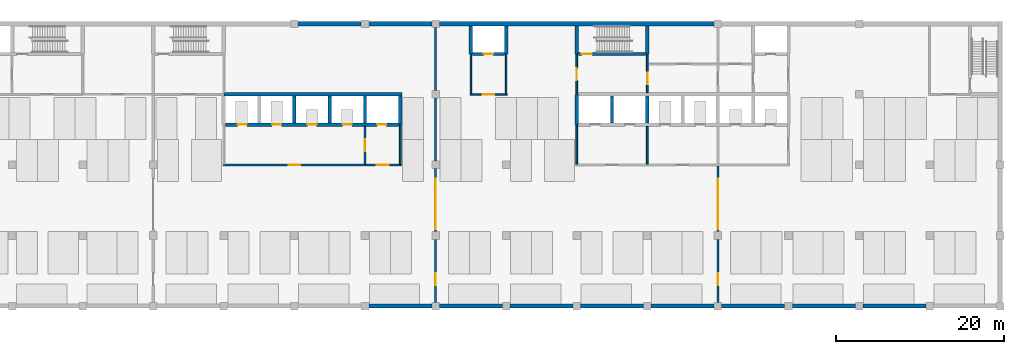
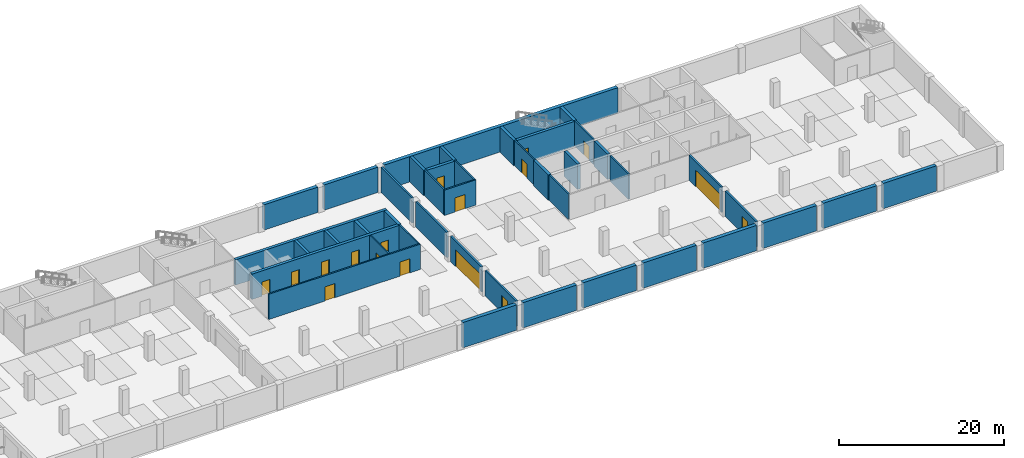
# One storey, part 4 of 14: 42 walls, 17 doors, 17 openings.
"""IFC4 building model written with IfcOpenShell, lengths in metres."""

from ifc_helpers import new_model, si_unit, direction, frame, frame_2d, origin, place, context, subcontext, project, spatial, rectangle, extrude, material, layer, layer_set, type_object, element, fill, save


model = new_model("IFC4")

# Units and contexts
model_context = context("Model", 3, precision=1e-05, world=origin(), true_north=direction((0.0, 1.0)))
body_context = subcontext(model_context, "Body", "Model", "MODEL_VIEW")
ifc_project = project(units=[si_unit("LENGTHUNIT", "METRE"), si_unit("AREAUNIT", "SQUARE_METRE"), si_unit("VOLUMEUNIT", "CUBIC_METRE"), si_unit("PLANEANGLEUNIT", "RADIAN"), si_unit("MASSUNIT", "GRAM", prefix="KILO")], contexts=[model_context])

# Site, building, storey
site_placement = place(None, origin())
site = spatial("IfcSite", under=ifc_project, at=site_placement, CompositionType="ELEMENT")
building_placement = place(site_placement, origin())
building = spatial("IfcBuilding", under=site, at=building_placement, Name="Yavir Park General Hospital", CompositionType="ELEMENT")
storey_placement = place(building_placement, frame((0.0, 0.0, -4.199951171875)))
storey = spatial("IfcBuildingStorey", under=building, at=storey_placement, Name="B1", CompositionType="ELEMENT", Elevation=-4.199951171875)

# Wall, opening, door
ifc_material_1 = material(Name="Concrete C30/37", Category="concrete")
ifc_layer_1 = layer(ifc_material_1, 0.25)
ifc_layer_set_1 = layer_set([ifc_layer_1], Name="Concrete C30/37")
wall_type_1 = type_object("IfcWallType", Name="Compartment fire wall 250, REI 150", PredefinedType="SOLIDWALL", material=ifc_layer_set_1)
wall_1_placement = place(storey_placement, frame((100.800048828125, 0.449951171875, 0.0), z_axis=(0.0, 0.0, 1.0), x_axis=(0.0, 1.0, 0.0)))
wall_1 = element("IfcWall", 1, at=wall_1_placement, inside=storey, type_object=wall_type_1, Name="FW25 B1-073", PredefinedType="SOLIDWALL", context=body_context, shape_type="SweptSolid", body=[
    extrude(rectangle(XDim=7.5, YDim=0.25, at=frame_2d((3.75, 0.0))), origin(), (0.0, 0.0, 1.0), 3.75),
])
opening_1_placement = place(wall_1_placement, frame((2.050048828125, 0.0, 0.0)))
opening_1 = element("IfcOpeningElement", 2, at=opening_1_placement, cuts=wall_1, Name="Opening B1.D053", PredefinedType="OPENING", context=body_context, shape_type="SweptSolid", body=[
    extrude(rectangle(XDim=1.39990234375, YDim=2.5, at=frame_2d((0.699951171875, 1.25))), frame((0.0, 0.135009765625, 0.0), z_axis=(0.0, -1.0, 0.0), x_axis=(1.0, 0.0, 0.0)), (0.0, 0.0, 1.0), 0.27001953125),
])
ifc_material_2 = material(Name="Steel frame, fire-resisting timber leaves", Category="steel")
door_type_1 = type_object("IfcDoorType", Name="Double fire door 1400 x 2500, EI 60", OperationType="DOUBLE_DOOR_SINGLE_SWING", PredefinedType="DOOR", material=ifc_material_2)
door_1_placement = place(opening_1_placement, origin())
door_1 = element("IfcDoor", 3, at=door_1_placement, inside=storey, type_object=door_type_1, Name="B1.D053", OperationType="SINGLE_SWING_RIGHT", OverallHeight=2.5, OverallWidth=1.39990234375, PredefinedType="DOOR", context=body_context, shape_type="SweptSolid", body=[
    extrude(rectangle(XDim=1.39990234375, YDim=2.5, at=frame_2d((0.699951171875, 1.25))), frame((0.0, 0.02490234375, 0.0), z_axis=(0.0, -1.0, 0.0), x_axis=(1.0, 0.0, 0.0)), (0.0, 0.0, 1.0), 0.050048828125),
])
fill(opening_1, door_1)

wall_2_placement = place(storey_placement, frame((100.800048828125, 8.85009765625, 0.0), z_axis=(0.0, 0.0, 1.0), x_axis=(0.0, 1.0, 0.0)))
wall_2 = element("IfcWall", 4, at=wall_2_placement, inside=storey, type_object=wall_type_1, Name="FW25 B1-074", PredefinedType="SOLIDWALL", context=body_context, shape_type="SweptSolid", body=[
    extrude(rectangle(XDim=7.5, YDim=0.25, at=frame_2d((3.75, 0.0))), origin(), (0.0, 0.0, 1.0), 3.75),
])
opening_2_placement = place(wall_2_placement, frame((0.300048828125, 0.0, 0.0)))
opening_2 = element("IfcOpeningElement", 5, at=opening_2_placement, cuts=wall_2, Name="Opening B1.D054", PredefinedType="OPENING", context=body_context, shape_type="SweptSolid", body=[
    extrude(rectangle(XDim=6.0, YDim=2.5, at=frame_2d((3.0, 1.25))), frame((0.0, 0.135009765625, 0.0), z_axis=(0.0, -1.0, 0.0), x_axis=(1.0, 0.0, 0.0)), (0.0, 0.0, 1.0), 0.27001953125),
])
ifc_material_3 = material(Name="Steel slat fire shutter", Category="steel")
door_type_2 = type_object("IfcDoorType", Name="Fire shutter, vehicle opening 6000 x 2500, EI 60", OperationType="ROLLINGUP", PredefinedType="GATE", material=ifc_material_3)
door_2_placement = place(opening_2_placement, origin())
door_2 = element("IfcDoor", 6, at=door_2_placement, inside=storey, type_object=door_type_2, Name="B1.D054", OperationType="ROLLINGUP", OverallHeight=2.5, OverallWidth=6.0, PredefinedType="GATE", context=body_context, shape_type="SweptSolid", body=[
    extrude(rectangle(XDim=6.0, YDim=2.5, at=frame_2d((3.0, 1.25))), frame((0.0, 0.02490234375, 0.0), z_axis=(0.0, -1.0, 0.0), x_axis=(1.0, 0.0, 0.0)), (0.0, 0.0, 1.0), 0.050048828125),
])
fill(opening_2, door_2)

# Walls
for number, where, z_axis, x_axis, name in (
    (7, (100.800048828125, 17.25, 0.0), (0.0, 0.0, 1.0), (0.0, 1.0, 0.0), "FW25 B1-075"),
    (8, (100.800048828125, 25.64990234375, 0.0), (0.0, 0.0, 1.0), (0.0, 1.0, 0.0), "FW25 B1-076"),
):
    element("IfcWall", number, at=place(storey_placement, frame(where, z_axis=z_axis, x_axis=x_axis)), inside=storey, type_object=wall_type_1, Name=name, PredefinedType="SOLIDWALL", context=body_context, shape_type="SweptSolid", body=[
        extrude(rectangle(XDim=7.5, YDim=0.25, at=frame_2d((3.75, 0.0))), origin(), (0.0, 0.0, 1.0), 3.75),
    ])

# Wall, opening, door
wall_3_placement = place(storey_placement, frame((134.39990234375, 0.449951171875, 0.0), z_axis=(0.0, 0.0, 1.0), x_axis=(0.0, 1.0, 0.0)))
wall_3 = element("IfcWall", 9, at=wall_3_placement, inside=storey, type_object=wall_type_1, Name="FW25 B1-091", PredefinedType="SOLIDWALL", context=body_context, shape_type="SweptSolid", body=[
    extrude(rectangle(XDim=7.5, YDim=0.25, at=frame_2d((3.75, 0.0))), origin(), (0.0, 0.0, 1.0), 3.75),
])
opening_3_placement = place(wall_3_placement, frame((2.050048828125, 0.0, 0.0)))
opening_3 = element("IfcOpeningElement", 10, at=opening_3_placement, cuts=wall_3, Name="Opening B1.D057", PredefinedType="OPENING", context=body_context, shape_type="SweptSolid", body=[
    extrude(rectangle(XDim=1.39990234375, YDim=2.5, at=frame_2d((0.699951171875, 1.25))), frame((0.0, 0.135009765625, 0.0), z_axis=(0.0, -1.0, 0.0), x_axis=(1.0, 0.0, 0.0)), (0.0, 0.0, 1.0), 0.27001953125),
])
door_3_placement = place(opening_3_placement, origin())
door_3 = element("IfcDoor", 11, at=door_3_placement, inside=storey, type_object=door_type_1, Name="B1.D057", OperationType="SINGLE_SWING_RIGHT", OverallHeight=2.5, OverallWidth=1.39990234375, PredefinedType="DOOR", context=body_context, shape_type="SweptSolid", body=[
    extrude(rectangle(XDim=1.39990234375, YDim=2.5, at=frame_2d((0.699951171875, 1.25))), frame((0.0, 0.02490234375, 0.0), z_axis=(0.0, -1.0, 0.0), x_axis=(1.0, 0.0, 0.0)), (0.0, 0.0, 1.0), 0.050048828125),
])
fill(opening_3, door_3)

wall_4_placement = place(storey_placement, frame((134.39990234375, 8.85009765625, 0.0), z_axis=(0.0, 0.0, 1.0), x_axis=(0.0, 1.0, 0.0)))
wall_4 = element("IfcWall", 12, at=wall_4_placement, inside=storey, type_object=wall_type_1, Name="FW25 B1-092", PredefinedType="SOLIDWALL", context=body_context, shape_type="SweptSolid", body=[
    extrude(rectangle(XDim=7.849853515625, YDim=0.25, at=frame_2d((3.9248046875, 0.0))), origin(), (0.0, 0.0, 1.0), 3.75),
])
opening_4_placement = place(wall_4_placement, frame((0.300048828125, 0.0, 0.0)))
opening_4 = element("IfcOpeningElement", 13, at=opening_4_placement, cuts=wall_4, Name="Opening B1.D058", PredefinedType="OPENING", context=body_context, shape_type="SweptSolid", body=[
    extrude(rectangle(XDim=6.0, YDim=2.5, at=frame_2d((3.0, 1.25))), frame((0.0, 0.135009765625, 0.0), z_axis=(0.0, -1.0, 0.0), x_axis=(1.0, 0.0, 0.0)), (0.0, 0.0, 1.0), 0.27001953125),
])
door_4_placement = place(opening_4_placement, origin())
door_4 = element("IfcDoor", 14, at=door_4_placement, inside=storey, type_object=door_type_2, Name="B1.D058", OperationType="ROLLINGUP", OverallHeight=2.5, OverallWidth=6.0, PredefinedType="GATE", context=body_context, shape_type="SweptSolid", body=[
    extrude(rectangle(XDim=6.0, YDim=2.5, at=frame_2d((3.0, 1.25))), frame((0.0, 0.02490234375, 0.0), z_axis=(0.0, -1.0, 0.0), x_axis=(1.0, 0.0, 0.0)), (0.0, 0.0, 1.0), 0.050048828125),
])
fill(opening_4, door_4)

# Wall, openings, doors
ifc_material_4 = material(Name="Double gypsum board fire partition on steel studs", Category="steel")
ifc_layer_2 = layer(ifc_material_4, 0.199951171875)
ifc_layer_set_2 = layer_set([ifc_layer_2], Name="Double gypsum board fire partition on steel studs")
wall_type_2 = type_object("IfcWallType", Name="Fire-rated partition 200, EI 60", PredefinedType="PARTITIONING", material=ifc_layer_set_2)
wall_5_placement = place(storey_placement, frame((75.5, 16.800048828125, 0.0), z_axis=(0.0, 0.0, 1.0), x_axis=(1.0, 0.0, 0.0)))
wall_5 = element("IfcWall", 15, at=wall_5_placement, inside=storey, type_object=wall_type_2, Name="FP20 B1-005", PredefinedType="PARTITIONING", context=body_context, shape_type="SweptSolid", body=[
    extrude(rectangle(XDim=21.199951171875, YDim=0.199951171875, at=frame_2d((10.60009765625, 0.0))), origin(), (0.0, 0.0, 1.0), 3.75),
])
opening_5_placement = place(wall_5_placement, frame((7.800048828125, 0.0, 0.0)))
opening_5 = element("IfcOpeningElement", 16, at=opening_5_placement, cuts=wall_5, Name="Opening B1.D004", PredefinedType="OPENING", context=body_context, shape_type="SweptSolid", body=[
    extrude(rectangle(XDim=1.39990234375, YDim=2.10009765625, at=frame_2d((0.699951171875, 1.050048828125))), frame((0.0, 0.10986328125, 0.0), z_axis=(0.0, -1.0, 0.0), x_axis=(1.0, 0.0, 0.0)), (0.0, 0.0, 1.0), 0.219970703125),
])
opening_6_placement = place(wall_5_placement, frame((18.300048828125, 0.0, 0.0)))
opening_6 = element("IfcOpeningElement", 17, at=opening_6_placement, cuts=wall_5, Name="Opening B1.D005", PredefinedType="OPENING", context=body_context, shape_type="SweptSolid", body=[
    extrude(rectangle(XDim=1.39990234375, YDim=2.10009765625, at=frame_2d((0.699951171875, 1.050048828125))), frame((0.0, 0.10986328125, 0.0), z_axis=(0.0, -1.0, 0.0), x_axis=(1.0, 0.0, 0.0)), (0.0, 0.0, 1.0), 0.219970703125),
])
ifc_material_5 = material(Name="Steel frame, fire-resisting timber leaves", Category="steel")
door_type_3 = type_object("IfcDoorType", Name="Double fire door 1400 x 2100, EI 60", OperationType="DOUBLE_DOOR_SINGLE_SWING", PredefinedType="DOOR", material=ifc_material_5)
door_5_placement = place(opening_5_placement, origin())
door_5 = element("IfcDoor", 18, at=door_5_placement, inside=storey, type_object=door_type_3, Name="B1.D004", OperationType="SINGLE_SWING_LEFT", OverallHeight=2.10009765625, OverallWidth=1.39990234375, PredefinedType="DOOR", context=body_context, shape_type="SweptSolid", body=[
    extrude(rectangle(XDim=1.39990234375, YDim=2.10009765625, at=frame_2d((0.699951171875, 1.050048828125))), frame((0.0, 0.02490234375, 0.0), z_axis=(0.0, -1.0, 0.0), x_axis=(1.0, 0.0, 0.0)), (0.0, 0.0, 1.0), 0.050048828125),
])
fill(opening_5, door_5)
door_6_placement = place(opening_6_placement, origin())
door_6 = element("IfcDoor", 19, at=door_6_placement, inside=storey, type_object=door_type_3, Name="B1.D005", OperationType="SINGLE_SWING_RIGHT", OverallHeight=2.10009765625, OverallWidth=1.39990234375, PredefinedType="DOOR", context=body_context, shape_type="SweptSolid", body=[
    extrude(rectangle(XDim=1.39990234375, YDim=2.10009765625, at=frame_2d((0.699951171875, 1.050048828125))), frame((0.0, 0.02490234375, 0.0), z_axis=(0.0, -1.0, 0.0), x_axis=(1.0, 0.0, 0.0)), (0.0, 0.0, 1.0), 0.050048828125),
])
fill(opening_6, door_6)

# Wall, opening, door
wall_6_placement = place(storey_placement, frame((104.89990234375, 25.199951171875, 0.0), z_axis=(0.0, 0.0, 1.0), x_axis=(1.0, 0.0, 0.0)))
wall_6 = element("IfcWall", 20, at=wall_6_placement, inside=storey, type_object=wall_type_2, Name="FP20 B1-020", PredefinedType="PARTITIONING", context=body_context, shape_type="SweptSolid", body=[
    extrude(rectangle(XDim=4.400146484375, YDim=0.199951171875, at=frame_2d((2.2001953125, 0.0))), origin(), (0.0, 0.0, 1.0), 3.75),
])
opening_7_placement = place(wall_6_placement, frame((1.5, 0.0, 0.0)))
opening_7 = element("IfcOpeningElement", 21, at=opening_7_placement, cuts=wall_6, Name="Opening B1.D028", PredefinedType="OPENING", context=body_context, shape_type="SweptSolid", body=[
    extrude(rectangle(XDim=1.39990234375, YDim=2.10009765625, at=frame_2d((0.699951171875, 1.050048828125))), frame((0.0, 0.10986328125, 0.0), z_axis=(0.0, -1.0, 0.0), x_axis=(1.0, 0.0, 0.0)), (0.0, 0.0, 1.0), 0.219970703125),
])
door_7_placement = place(opening_7_placement, origin())
door_7 = element("IfcDoor", 22, at=door_7_placement, inside=storey, type_object=door_type_3, Name="B1.D028", OperationType="SINGLE_SWING_LEFT", OverallHeight=2.10009765625, OverallWidth=1.39990234375, PredefinedType="DOOR", context=body_context, shape_type="SweptSolid", body=[
    extrude(rectangle(XDim=1.39990234375, YDim=2.10009765625, at=frame_2d((0.699951171875, 1.050048828125))), frame((0.0, 0.02490234375, 0.0), z_axis=(0.0, -1.0, 0.0), x_axis=(1.0, 0.0, 0.0)), (0.0, 0.0, 1.0), 0.050048828125),
])
fill(opening_7, door_7)

wall_7_placement = place(storey_placement, frame((92.39990234375, 16.89990234375, 0.0), z_axis=(0.0, 0.0, 1.0), x_axis=(0.0, 1.0, 0.0)))
wall_7 = element("IfcWall", 23, at=wall_7_placement, inside=storey, type_object=wall_type_2, Name="FP20 B1-069", PredefinedType="PARTITIONING", context=body_context, shape_type="SweptSolid", body=[
    extrude(rectangle(XDim=4.5, YDim=0.199951171875, at=frame_2d((2.25, 0.0))), origin(), (0.0, 0.0, 1.0), 3.75),
])
opening_8_placement = place(wall_7_placement, frame((1.550048828125, 0.0, 0.0)))
opening_8 = element("IfcOpeningElement", 24, at=opening_8_placement, cuts=wall_7, Name="Opening B1.D052", PredefinedType="OPENING", context=body_context, shape_type="SweptSolid", body=[
    extrude(rectangle(XDim=1.39990234375, YDim=2.10009765625, at=frame_2d((0.699951171875, 1.050048828125))), frame((0.0, 0.10986328125, 0.0), z_axis=(0.0, -1.0, 0.0), x_axis=(1.0, 0.0, 0.0)), (0.0, 0.0, 1.0), 0.219970703125),
])
door_8_placement = place(opening_8_placement, origin())
door_8 = element("IfcDoor", 25, at=door_8_placement, inside=storey, type_object=door_type_3, Name="B1.D052", OperationType="SINGLE_SWING_LEFT", OverallHeight=2.10009765625, OverallWidth=1.39990234375, PredefinedType="DOOR", context=body_context, shape_type="SweptSolid", body=[
    extrude(rectangle(XDim=1.39990234375, YDim=2.10009765625, at=frame_2d((0.699951171875, 1.050048828125))), frame((0.0, 0.02490234375, 0.0), z_axis=(0.0, -1.0, 0.0), x_axis=(1.0, 0.0, 0.0)), (0.0, 0.0, 1.0), 0.050048828125),
])
fill(opening_8, door_8)

# Walls
wall_8_placement = place(storey_placement, frame((96.60009765625, 16.89990234375, 0.0), z_axis=(0.0, 0.0, 1.0), x_axis=(0.0, 1.0, 0.0)))
element("IfcWall", 26, at=wall_8_placement, inside=storey, type_object=wall_type_2, Name="FP20 B1-071", PredefinedType="PARTITIONING", context=body_context, shape_type="SweptSolid", body=[
    extrude(rectangle(XDim=4.7001953125, YDim=0.199951171875, at=frame_2d((2.35009765625, 0.0))), origin(), (0.0, 0.0, 1.0), 3.75),
])
for number, where, z_axis, x_axis, name in (
    (27, (105.0, 25.300048828125, 0.0), (0.0, 0.0, 1.0), (0.0, 1.0, 0.0), "FP20 B1-077"),
    (28, (109.199951171875, 25.300048828125, 0.0), (0.0, 0.0, 1.0), (0.0, 1.0, 0.0), "FP20 B1-079"),
):
    element("IfcWall", number, at=place(storey_placement, frame(where, z_axis=z_axis, x_axis=x_axis)), inside=storey, type_object=wall_type_2, Name=name, PredefinedType="PARTITIONING", context=body_context, shape_type="SweptSolid", body=[
        extrude(rectangle(XDim=4.699951171875, YDim=0.199951171875, at=frame_2d((2.35009765625, 0.0))), origin(), (0.0, 0.0, 1.0), 3.75),
    ])
wall_9_placement = place(storey_placement, frame((117.60009765625, 16.89990234375, 0.0), z_axis=(0.0, 0.0, 1.0), x_axis=(0.0, 1.0, 0.0)))
element("IfcWall", 29, at=wall_9_placement, inside=storey, type_object=wall_type_2, Name="FP20 B1-081", PredefinedType="PARTITIONING", context=body_context, shape_type="SweptSolid", body=[
    extrude(rectangle(XDim=4.7001953125, YDim=0.199951171875, at=frame_2d((2.35009765625, 0.0))), origin(), (0.0, 0.0, 1.0), 3.75),
])

# Wall, opening, door
wall_10_placement = place(storey_placement, frame((117.60009765625, 25.199951171875, 0.0), z_axis=(0.0, 0.0, 1.0), x_axis=(0.0, 1.0, 0.0)))
wall_10 = element("IfcWall", 30, at=wall_10_placement, inside=storey, type_object=wall_type_2, Name="FP20 B1-083", PredefinedType="PARTITIONING", context=body_context, shape_type="SweptSolid", body=[
    extrude(rectangle(XDim=4.800048828125, YDim=0.199951171875, at=frame_2d((2.39990234375, 0.0))), origin(), (0.0, 0.0, 1.0), 3.75),
])
opening_9_placement = place(wall_10_placement, frame((1.699951171875, 0.0, 0.0)))
opening_9 = element("IfcOpeningElement", 31, at=opening_9_placement, cuts=wall_10, Name="Opening B1.D055", PredefinedType="OPENING", context=body_context, shape_type="SweptSolid", body=[
    extrude(rectangle(XDim=1.39990234375, YDim=2.10009765625, at=frame_2d((0.699951171875, 1.050048828125))), frame((0.0, 0.10986328125, 0.0), z_axis=(0.0, -1.0, 0.0), x_axis=(1.0, 0.0, 0.0)), (0.0, 0.0, 1.0), 0.219970703125),
])
door_9_placement = place(opening_9_placement, origin())
door_9 = element("IfcDoor", 32, at=door_9_placement, inside=storey, type_object=door_type_3, Name="B1.D055", OperationType="SINGLE_SWING_RIGHT", OverallHeight=2.10009765625, OverallWidth=1.39990234375, PredefinedType="DOOR", context=body_context, shape_type="SweptSolid", body=[
    extrude(rectangle(XDim=1.39990234375, YDim=2.10009765625, at=frame_2d((0.699951171875, 1.050048828125))), frame((0.0, 0.02490234375, 0.0), z_axis=(0.0, -1.0, 0.0), x_axis=(1.0, 0.0, 0.0)), (0.0, 0.0, 1.0), 0.050048828125),
])
fill(opening_9, door_9)

# Wall
wall_11_placement = place(storey_placement, frame((126.0, 16.89990234375, 0.0), z_axis=(0.0, 0.0, 1.0), x_axis=(0.0, 1.0, 0.0)))
element("IfcWall", 33, at=wall_11_placement, inside=storey, type_object=wall_type_2, Name="FP20 B1-086", PredefinedType="PARTITIONING", context=body_context, shape_type="SweptSolid", body=[
    extrude(rectangle(XDim=4.5, YDim=0.199951171875, at=frame_2d((2.25, 0.0))), origin(), (0.0, 0.0, 1.0), 3.75),
])

# Wall, opening, door
wall_12_placement = place(storey_placement, frame((126.0, 25.39990234375, 0.0), z_axis=(0.0, 0.0, 1.0), x_axis=(0.0, 1.0, 0.0)))
wall_12 = element("IfcWall", 34, at=wall_12_placement, inside=storey, type_object=wall_type_2, Name="FP20 B1-088", PredefinedType="PARTITIONING", context=body_context, shape_type="SweptSolid", body=[
    extrude(rectangle(XDim=4.60009765625, YDim=0.199951171875, at=frame_2d((2.300048828125, 0.0))), origin(), (0.0, 0.0, 1.0), 3.75),
])
opening_10_placement = place(wall_12_placement, frame((1.0, 0.0, 0.0)))
opening_10 = element("IfcOpeningElement", 35, at=opening_10_placement, cuts=wall_12, Name="Opening B1.D056", PredefinedType="OPENING", context=body_context, shape_type="SweptSolid", body=[
    extrude(rectangle(XDim=1.39990234375, YDim=2.10009765625, at=frame_2d((0.699951171875, 1.050048828125))), frame((0.0, 0.10986328125, 0.0), z_axis=(0.0, -1.0, 0.0), x_axis=(1.0, 0.0, 0.0)), (0.0, 0.0, 1.0), 0.219970703125),
])
ifc_material_6 = material(Name="Steel frame, fire-resisting leaves with vision panels", Category="steel")
door_type_4 = type_object("IfcDoorType", Name="Double fire door with vision panels 1400 x 2100, EI 60", OperationType="DOUBLE_DOOR_SINGLE_SWING", PredefinedType="DOOR", material=ifc_material_6)
door_10_placement = place(opening_10_placement, origin())
door_10 = element("IfcDoor", 36, at=door_10_placement, inside=storey, type_object=door_type_4, Name="B1.D056", OperationType="SINGLE_SWING_RIGHT", OverallHeight=2.10009765625, OverallWidth=1.39990234375, PredefinedType="DOOR", context=body_context, shape_type="SweptSolid", body=[
    extrude(rectangle(XDim=1.39990234375, YDim=2.10009765625, at=frame_2d((0.699951171875, 1.050048828125))), frame((0.0, 0.030029296875, 0.0), z_axis=(0.0, -1.0, 0.0), x_axis=(1.0, 0.0, 0.0)), (0.0, 0.0, 1.0), 0.06005859375),
])
fill(opening_10, door_10)

# Walls
ifc_material_7 = material(Name="Concrete C35/45", Category="concrete")
ifc_layer_3 = layer(ifc_material_7, 0.5)
ifc_layer_set_3 = layer_set([ifc_layer_3], Name="Concrete C35/45")
wall_type_3 = type_object("IfcWallType", Name="RC WALL RETAINING 500", PredefinedType="SOLIDWALL", material=ifc_layer_set_3)
for number, where, z_axis, x_axis, name in (
    (37, (92.85009765625, 0.0, 0.0), (0.0, 0.0, 1.0), (1.0, 0.0, 0.0), "W:RET:B1:S7"),
    (38, (101.25, 0.0, 0.0), (0.0, 0.0, 1.0), (1.0, 0.0, 0.0), "W:RET:B1:S8"),
    (39, (109.64990234375, 0.0, 0.0), (0.0, 0.0, 1.0), (1.0, 0.0, 0.0), "W:RET:B1:S9"),
    (40, (118.050048828125, 0.0, 0.0), (0.0, 0.0, 1.0), (1.0, 0.0, 0.0), "W:RET:B1:S10"),
    (41, (126.449951171875, 0.0, 0.0), (0.0, 0.0, 1.0), (1.0, 0.0, 0.0), "W:RET:B1:S11"),
    (42, (134.85009765625, 0.0, 0.0), (0.0, 0.0, 1.0), (1.0, 0.0, 0.0), "W:RET:B1:S12"),
    (43, (143.25, 0.0, 0.0), (0.0, 0.0, 1.0), (1.0, 0.0, 0.0), "W:RET:B1:S13"),
    (44, (151.64990234375, 0.0, 0.0), (0.0, 0.0, 1.0), (1.0, 0.0, 0.0), "W:RET:B1:S14"),
    (45, (84.449951171875, 33.60009765625, 0.0), (0.0, 0.0, 1.0), (1.0, 0.0, 0.0), "W:RET:B1:N21"),
    (46, (92.85009765625, 33.60009765625, 0.0), (0.0, 0.0, 1.0), (1.0, 0.0, 0.0), "W:RET:B1:N22"),
):
    element("IfcWall", number, at=place(storey_placement, frame(where, z_axis=z_axis, x_axis=x_axis)), inside=storey, type_object=wall_type_3, Name=name, PredefinedType="SOLIDWALL", context=body_context, shape_type="SweptSolid", body=[
        extrude(rectangle(XDim=7.5, YDim=0.5, at=frame_2d((3.75, 0.0))), origin(), (0.0, 0.0, 1.0), 3.75),
    ])
wall_13_placement = place(storey_placement, frame((101.25, 33.60009765625, 0.0), z_axis=(0.0, 0.0, 1.0), x_axis=(1.0, 0.0, 0.0)))
element("IfcWall", 47, at=wall_13_placement, inside=storey, type_object=wall_type_3, Name="W:RET:B1:N23", PredefinedType="SOLIDWALL", context=body_context, shape_type="SweptSolid", body=[
    extrude(rectangle(XDim=32.699951171875, YDim=0.5, at=frame_2d((16.35009765625, 0.0))), origin(), (0.0, 0.0, 1.0), 3.75),
])

# Wall, openings, doors
ifc_material_8 = material(Name="Concrete C35/45", Category="concrete")
ifc_layer_4 = layer(ifc_material_8, 0.39990234375)
ifc_layer_set_4 = layer_set([ifc_layer_4], Name="Concrete C35/45")
wall_type_4 = type_object("IfcWallType", Name="Reinforced concrete core wall 400, REI 150", PredefinedType="SHEAR", material=ifc_layer_set_4)
wall_14_placement = place(storey_placement, frame((75.800048828125, 21.60009765625, 0.0), z_axis=(0.0, 0.0, 1.0), x_axis=(1.0, 0.0, 0.0)))
wall_14 = element("IfcWall", 48, at=wall_14_placement, inside=storey, type_object=wall_type_4, Name="CW40 B1-010", PredefinedType="SHEAR", context=body_context, shape_type="SweptSolid", body=[
    extrude(rectangle(XDim=20.599853515625, YDim=0.39990234375, at=frame_2d((10.2998046875, 0.0))), origin(), (0.0, 0.0, 1.0), 3.75),
])
opening_11_placement = place(wall_14_placement, frame((1.449951171875, 0.0, 0.0)))
opening_11 = element("IfcOpeningElement", 49, at=opening_11_placement, cuts=wall_14, Name="Opening B1.D012", PredefinedType="OPENING", context=body_context, shape_type="SweptSolid", body=[
    extrude(rectangle(XDim=1.10009765625, YDim=2.10009765625, at=frame_2d((0.550048828125, 1.050048828125))), frame((0.0, 0.2099609375, 0.0), z_axis=(0.0, -1.0, 0.0), x_axis=(1.0, 0.0, 0.0)), (0.0, 0.0, 1.0), 0.419921875),
])
opening_12_placement = place(wall_14_placement, frame((5.550048828125, 0.0, 0.0)))
opening_12 = element("IfcOpeningElement", 50, at=opening_12_placement, cuts=wall_14, Name="Opening B1.D013", PredefinedType="OPENING", context=body_context, shape_type="SweptSolid", body=[
    extrude(rectangle(XDim=1.10009765625, YDim=2.10009765625, at=frame_2d((0.550048828125, 1.050048828125))), frame((0.0, 0.2099609375, 0.0), z_axis=(0.0, -1.0, 0.0), x_axis=(1.0, 0.0, 0.0)), (0.0, 0.0, 1.0), 0.419921875),
])
opening_13_placement = place(wall_14_placement, frame((9.75, 0.0, 0.0)))
opening_13 = element("IfcOpeningElement", 51, at=opening_13_placement, cuts=wall_14, Name="Opening B1.D014", PredefinedType="OPENING", context=body_context, shape_type="SweptSolid", body=[
    extrude(rectangle(XDim=1.10009765625, YDim=2.10009765625, at=frame_2d((0.550048828125, 1.050048828125))), frame((0.0, 0.2099609375, 0.0), z_axis=(0.0, -1.0, 0.0), x_axis=(1.0, 0.0, 0.0)), (0.0, 0.0, 1.0), 0.419921875),
])
opening_14_placement = place(wall_14_placement, frame((13.949951171875, 0.0, 0.0)))
opening_14 = element("IfcOpeningElement", 52, at=opening_14_placement, cuts=wall_14, Name="Opening B1.D015", PredefinedType="OPENING", context=body_context, shape_type="SweptSolid", body=[
    extrude(rectangle(XDim=1.10009765625, YDim=2.10009765625, at=frame_2d((0.550048828125, 1.050048828125))), frame((0.0, 0.2099609375, 0.0), z_axis=(0.0, -1.0, 0.0), x_axis=(1.0, 0.0, 0.0)), (0.0, 0.0, 1.0), 0.419921875),
])
opening_15_placement = place(wall_14_placement, frame((18.050048828125, 0.0, 0.0)))
opening_15 = element("IfcOpeningElement", 53, at=opening_15_placement, cuts=wall_14, Name="Opening B1.D016", PredefinedType="OPENING", context=body_context, shape_type="SweptSolid", body=[
    extrude(rectangle(XDim=1.10009765625, YDim=2.10009765625, at=frame_2d((0.550048828125, 1.050048828125))), frame((0.0, 0.2099609375, 0.0), z_axis=(0.0, -1.0, 0.0), x_axis=(1.0, 0.0, 0.0)), (0.0, 0.0, 1.0), 0.419921875),
])
ifc_material_9 = material(Name="Stainless steel landing door panels", Category="steel")
door_type_5 = type_object("IfcDoorType", Name="Lift landing door 1100 x 2100, EI 60", OperationType="SLIDING_TO_LEFT", PredefinedType="DOOR", material=ifc_material_9)
door_11_placement = place(opening_11_placement, origin())
door_11 = element("IfcDoor", 54, at=door_11_placement, inside=storey, type_object=door_type_5, Name="B1.D012", OperationType="SLIDING_TO_LEFT", OverallHeight=2.10009765625, OverallWidth=1.10009765625, PredefinedType="DOOR", context=body_context, shape_type="SweptSolid", body=[
    extrude(rectangle(XDim=1.10009765625, YDim=2.10009765625, at=frame_2d((0.550048828125, 1.050048828125))), frame((0.0, 0.02490234375, 0.0), z_axis=(0.0, -1.0, 0.0), x_axis=(1.0, 0.0, 0.0)), (0.0, 0.0, 1.0), 0.050048828125),
])
fill(opening_11, door_11)
door_12_placement = place(opening_12_placement, origin())
door_12 = element("IfcDoor", 55, at=door_12_placement, inside=storey, type_object=door_type_5, Name="B1.D013", OperationType="SLIDING_TO_LEFT", OverallHeight=2.10009765625, OverallWidth=1.10009765625, PredefinedType="DOOR", context=body_context, shape_type="SweptSolid", body=[
    extrude(rectangle(XDim=1.10009765625, YDim=2.10009765625, at=frame_2d((0.550048828125, 1.050048828125))), frame((0.0, 0.02490234375, 0.0), z_axis=(0.0, -1.0, 0.0), x_axis=(1.0, 0.0, 0.0)), (0.0, 0.0, 1.0), 0.050048828125),
])
fill(opening_12, door_12)
door_13_placement = place(opening_13_placement, origin())
door_13 = element("IfcDoor", 56, at=door_13_placement, inside=storey, type_object=door_type_5, Name="B1.D014", OperationType="SLIDING_TO_LEFT", OverallHeight=2.10009765625, OverallWidth=1.10009765625, PredefinedType="DOOR", context=body_context, shape_type="SweptSolid", body=[
    extrude(rectangle(XDim=1.10009765625, YDim=2.10009765625, at=frame_2d((0.550048828125, 1.050048828125))), frame((0.0, 0.02490234375, 0.0), z_axis=(0.0, -1.0, 0.0), x_axis=(1.0, 0.0, 0.0)), (0.0, 0.0, 1.0), 0.050048828125),
])
fill(opening_13, door_13)
door_14_placement = place(opening_14_placement, origin())
door_14 = element("IfcDoor", 57, at=door_14_placement, inside=storey, type_object=door_type_5, Name="B1.D015", OperationType="SLIDING_TO_LEFT", OverallHeight=2.10009765625, OverallWidth=1.10009765625, PredefinedType="DOOR", context=body_context, shape_type="SweptSolid", body=[
    extrude(rectangle(XDim=1.10009765625, YDim=2.10009765625, at=frame_2d((0.550048828125, 1.050048828125))), frame((0.0, 0.02490234375, 0.0), z_axis=(0.0, -1.0, 0.0), x_axis=(1.0, 0.0, 0.0)), (0.0, 0.0, 1.0), 0.050048828125),
])
fill(opening_14, door_14)
door_15_placement = place(opening_15_placement, origin())
door_15 = element("IfcDoor", 58, at=door_15_placement, inside=storey, type_object=door_type_5, Name="B1.D016", OperationType="SLIDING_TO_LEFT", OverallHeight=2.10009765625, OverallWidth=1.10009765625, PredefinedType="DOOR", context=body_context, shape_type="SweptSolid", body=[
    extrude(rectangle(XDim=1.10009765625, YDim=2.10009765625, at=frame_2d((0.550048828125, 1.050048828125))), frame((0.0, 0.02490234375, 0.0), z_axis=(0.0, -1.0, 0.0), x_axis=(1.0, 0.0, 0.0)), (0.0, 0.0, 1.0), 0.050048828125),
])
fill(opening_15, door_15)

# Wall
wall_15_placement = place(storey_placement, frame((75.60009765625, 25.199951171875, 0.0), z_axis=(0.0, 0.0, 1.0), x_axis=(1.0, 0.0, 0.0)))
element("IfcWall", 59, at=wall_15_placement, inside=storey, type_object=wall_type_4, Name="CW40 B1-019", PredefinedType="SHEAR", context=body_context, shape_type="SweptSolid", body=[
    extrude(rectangle(XDim=21.199951171875, YDim=0.39990234375, at=frame_2d((10.60009765625, 0.0))), origin(), (0.0, 0.0, 1.0), 3.75),
])

# Wall, opening, door
wall_16_placement = place(storey_placement, frame((105.199951171875, 30.0, 0.0), z_axis=(0.0, 0.0, 1.0), x_axis=(1.0, 0.0, 0.0)))
wall_16 = element("IfcWall", 60, at=wall_16_placement, inside=storey, type_object=wall_type_4, Name="CW40 B1-028", PredefinedType="SHEAR", context=body_context, shape_type="SweptSolid", body=[
    extrude(rectangle(XDim=3.800048828125, YDim=0.39990234375, at=frame_2d((1.89990234375, 0.0))), origin(), (0.0, 0.0, 1.0), 3.75),
])
opening_16_placement = place(wall_16_placement, frame((1.35009765625, 0.0, 0.0)))
opening_16 = element("IfcOpeningElement", 61, at=opening_16_placement, cuts=wall_16, Name="Opening B1.D036", PredefinedType="OPENING", context=body_context, shape_type="SweptSolid", body=[
    extrude(rectangle(XDim=1.10009765625, YDim=2.10009765625, at=frame_2d((0.550048828125, 1.050048828125))), frame((0.0, 0.2099609375, 0.0), z_axis=(0.0, -1.0, 0.0), x_axis=(1.0, 0.0, 0.0)), (0.0, 0.0, 1.0), 0.419921875),
])
door_16_placement = place(opening_16_placement, origin())
door_16 = element("IfcDoor", 62, at=door_16_placement, inside=storey, type_object=door_type_5, Name="B1.D036", OperationType="SLIDING_TO_LEFT", OverallHeight=2.10009765625, OverallWidth=1.10009765625, PredefinedType="DOOR", context=body_context, shape_type="SweptSolid", body=[
    extrude(rectangle(XDim=1.10009765625, YDim=2.10009765625, at=frame_2d((0.550048828125, 1.050048828125))), frame((0.0, 0.02490234375, 0.0), z_axis=(0.0, -1.0, 0.0), x_axis=(1.0, 0.0, 0.0)), (0.0, 0.0, 1.0), 0.050048828125),
])
fill(opening_16, door_16)

wall_17_placement = place(storey_placement, frame((117.800048828125, 30.0, 0.0), z_axis=(0.0, 0.0, 1.0), x_axis=(1.0, 0.0, 0.0)))
wall_17 = element("IfcWall", 63, at=wall_17_placement, inside=storey, type_object=wall_type_4, Name="CW40 B1-029", PredefinedType="SHEAR", context=body_context, shape_type="SweptSolid", body=[
    extrude(rectangle(XDim=8.0, YDim=0.39990234375, at=frame_2d((4.0, 0.0))), origin(), (0.0, 0.0, 1.0), 3.75),
])
opening_17_placement = place(wall_17_placement, frame((0.39990234375, 0.0, 0.0)))
opening_17 = element("IfcOpeningElement", 64, at=opening_17_placement, cuts=wall_17, Name="Opening B1.D037", PredefinedType="OPENING", context=body_context, shape_type="SweptSolid", body=[
    extrude(rectangle(XDim=1.199951171875, YDim=2.10009765625, at=frame_2d((0.60009765625, 1.050048828125))), frame((0.0, 0.2099609375, 0.0), z_axis=(0.0, -1.0, 0.0), x_axis=(1.0, 0.0, 0.0)), (0.0, 0.0, 1.0), 0.419921875),
])
ifc_material_10 = material(Name="Steel frame, fire-resisting timber leaf", Category="steel")
door_type_6 = type_object("IfcDoorType", Name="Fire door 1200 x 2100, EI 60", OperationType="SINGLE_SWING_LEFT", PredefinedType="DOOR", material=ifc_material_10)
door_17_placement = place(opening_17_placement, origin())
door_17 = element("IfcDoor", 65, at=door_17_placement, inside=storey, type_object=door_type_6, Name="B1.D037", OperationType="SINGLE_SWING_RIGHT", OverallHeight=2.10009765625, OverallWidth=1.199951171875, PredefinedType="DOOR", context=body_context, shape_type="SweptSolid", body=[
    extrude(rectangle(XDim=1.199951171875, YDim=2.10009765625, at=frame_2d((0.60009765625, 1.050048828125))), frame((0.0, 0.02490234375, 0.0), z_axis=(0.0, -1.0, 0.0), x_axis=(1.0, 0.0, 0.0)), (0.0, 0.0, 1.0), 0.050048828125),
])
fill(opening_17, door_17)

# Walls
for number, where, z_axis, x_axis, name in (
    (66, (84.0, 21.800048828125, 0.0), (0.0, 0.0, 1.0), (0.0, 1.0, 0.0), "CW40 B1-067"),
    (67, (88.199951171875, 21.800048828125, 0.0), (0.0, 0.0, 1.0), (0.0, 1.0, 0.0), "CW40 B1-068"),
    (68, (92.39990234375, 21.800048828125, 0.0), (0.0, 0.0, 1.0), (0.0, 1.0, 0.0), "CW40 B1-070"),
):
    element("IfcWall", number, at=place(storey_placement, frame(where, z_axis=z_axis, x_axis=x_axis)), inside=storey, type_object=wall_type_4, Name=name, PredefinedType="SHEAR", context=body_context, shape_type="SweptSolid", body=[
        extrude(rectangle(XDim=3.199951171875, YDim=0.39990234375, at=frame_2d((1.60009765625, 0.0))), origin(), (0.0, 0.0, 1.0), 3.75),
    ])
wall_18_placement = place(storey_placement, frame((96.60009765625, 21.60009765625, 0.0), z_axis=(0.0, 0.0, 1.0), x_axis=(0.0, 1.0, 0.0)))
element("IfcWall", 69, at=wall_18_placement, inside=storey, type_object=wall_type_4, Name="CW40 B1-072", PredefinedType="SHEAR", context=body_context, shape_type="SweptSolid", body=[
    extrude(rectangle(XDim=3.39990234375, YDim=0.39990234375, at=frame_2d((1.699951171875, 0.0))), origin(), (0.0, 0.0, 1.0), 3.75),
])
for number, where, z_axis, x_axis, name in (
    (70, (105.0, 30.0, 0.0), (0.0, 0.0, 1.0), (0.0, 1.0, 0.0), "CW40 B1-078"),
    (71, (109.199951171875, 30.0, 0.0), (0.0, 0.0, 1.0), (0.0, 1.0, 0.0), "CW40 B1-080"),
):
    element("IfcWall", number, at=place(storey_placement, frame(where, z_axis=z_axis, x_axis=x_axis)), inside=storey, type_object=wall_type_4, Name=name, PredefinedType="SHEAR", context=body_context, shape_type="SweptSolid", body=[
        extrude(rectangle(XDim=3.35009765625, YDim=0.39990234375, at=frame_2d((1.675048828125, 0.0))), origin(), (0.0, 0.0, 1.0), 3.75),
    ])
wall_19_placement = place(storey_placement, frame((117.60009765625, 21.60009765625, 0.0), z_axis=(0.0, 0.0, 1.0), x_axis=(0.0, 1.0, 0.0)))
element("IfcWall", 72, at=wall_19_placement, inside=storey, type_object=wall_type_4, Name="CW40 B1-082", PredefinedType="SHEAR", context=body_context, shape_type="SweptSolid", body=[
    extrude(rectangle(XDim=3.599853515625, YDim=0.39990234375, at=frame_2d((1.7998046875, 0.0))), origin(), (0.0, 0.0, 1.0), 3.75),
])
wall_20_placement = place(storey_placement, frame((117.60009765625, 30.0, 0.0), z_axis=(0.0, 0.0, 1.0), x_axis=(0.0, 1.0, 0.0)))
element("IfcWall", 73, at=wall_20_placement, inside=storey, type_object=wall_type_4, Name="CW40 B1-084", PredefinedType="SHEAR", context=body_context, shape_type="SweptSolid", body=[
    extrude(rectangle(XDim=3.35009765625, YDim=0.39990234375, at=frame_2d((1.675048828125, 0.0))), origin(), (0.0, 0.0, 1.0), 3.75),
])
for number, where, z_axis, x_axis, name in (
    (74, (121.800048828125, 21.800048828125, 0.0), (0.0, 0.0, 1.0), (0.0, 1.0, 0.0), "CW40 B1-085"),
    (75, (126.0, 21.800048828125, 0.0), (0.0, 0.0, 1.0), (0.0, 1.0, 0.0), "CW40 B1-087"),
):
    element("IfcWall", number, at=place(storey_placement, frame(where, z_axis=z_axis, x_axis=x_axis)), inside=storey, type_object=wall_type_4, Name=name, PredefinedType="SHEAR", context=body_context, shape_type="SweptSolid", body=[
        extrude(rectangle(XDim=3.199951171875, YDim=0.39990234375, at=frame_2d((1.60009765625, 0.0))), origin(), (0.0, 0.0, 1.0), 3.75),
    ])
wall_21_placement = place(storey_placement, frame((126.0, 30.0, 0.0), z_axis=(0.0, 0.0, 1.0), x_axis=(0.0, 1.0, 0.0)))
element("IfcWall", 76, at=wall_21_placement, inside=storey, type_object=wall_type_4, Name="CW40 B1-089", PredefinedType="SHEAR", context=body_context, shape_type="SweptSolid", body=[
    extrude(rectangle(XDim=3.35009765625, YDim=0.39990234375, at=frame_2d((1.675048828125, 0.0))), origin(), (0.0, 0.0, 1.0), 3.75),
])

save(model, "model.ifc")
